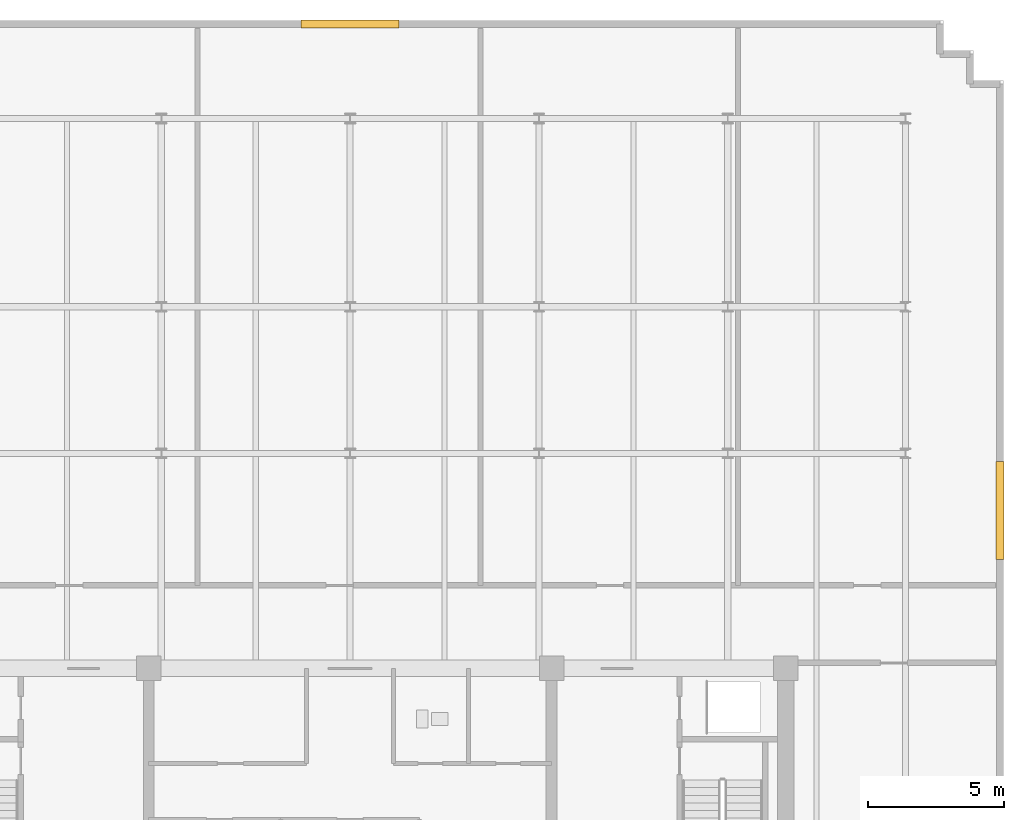
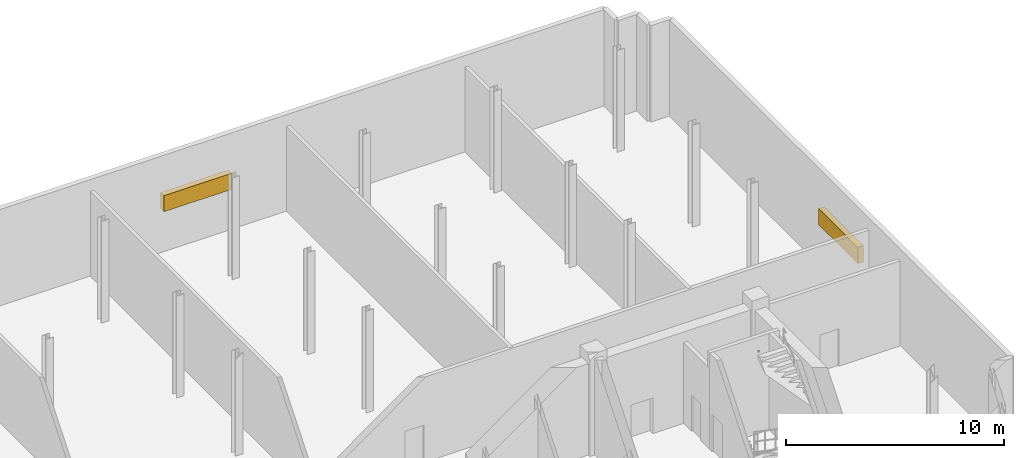
# One storey, part 6 of 7: 2 shading devices.
"""IFC4 building model written with IfcOpenShell, lengths in metres."""

from ifc_helpers import new_model, si_unit, direction, frame, origin, origin_2d, place, context, subcontext, project, spatial, rectangle, extrude, material, type_object, element, save


model = new_model("IFC4")

# Units and contexts
model_context = context("Model", 3, precision=1e-05, world=origin(), true_north=direction((0.0, 1.0)))
body_context = subcontext(model_context, "Body", "Model", "MODEL_VIEW")
ifc_project = project(units=[si_unit("LENGTHUNIT", "METRE"), si_unit("AREAUNIT", "SQUARE_METRE"), si_unit("VOLUMEUNIT", "CUBIC_METRE"), si_unit("PLANEANGLEUNIT", "RADIAN"), si_unit("MASSUNIT", "GRAM", prefix="KILO")], contexts=[model_context])

# Site, building, storey
site_placement = place(None, origin())
site = spatial("IfcSite", under=ifc_project, at=site_placement, CompositionType="ELEMENT")
building_placement = place(site_placement, origin())
building = spatial("IfcBuilding", under=site, at=building_placement, Name="Solmavex Isthmus Hotel", CompositionType="ELEMENT")
storey_placement = place(building_placement, frame((0.0, 0.0, 291.300048828125)))
storey = spatial("IfcBuildingStorey", under=building, at=storey_placement, Name="L79", CompositionType="ELEMENT", Elevation=291.300048828125)

# Shading devices
ifc_material = material(Name="Aluminium alloy 6063-T6", Category="aluminium")
shading_device_type = type_object("IfcShadingDeviceType", Name="SHD-LOUVRE-BOX", PredefinedType="JALOUSIE", material=ifc_material)
for number, where, z_axis, x_axis, name in (
    (1, (0.0, 21.169921875, 2.25), (0.0, 0.0, 1.0), (1.0, 0.0, 0.0), "Acoustic Intake Louvre Screen L79-11"),
    (2, (23.8701171875, 3.300048828125, 2.25), (0.0, 0.0, 1.0), (0.0, -1.0, 0.0), "Acoustic Intake Louvre Screen L79-16"),
):
    element("IfcShadingDevice", number, at=place(storey_placement, frame(where, z_axis=z_axis, x_axis=x_axis)), inside=storey, type_object=shading_device_type, Name=name, PredefinedType="JALOUSIE", context=body_context, shape_type="SweptSolid", body=[
        extrude(rectangle(XDim=3.60009765625, YDim=0.300048828125, at=origin_2d()), origin(), (0.0, 0.0, 1.0), 0.89990234375),
    ])

save(model, "model.ifc")
